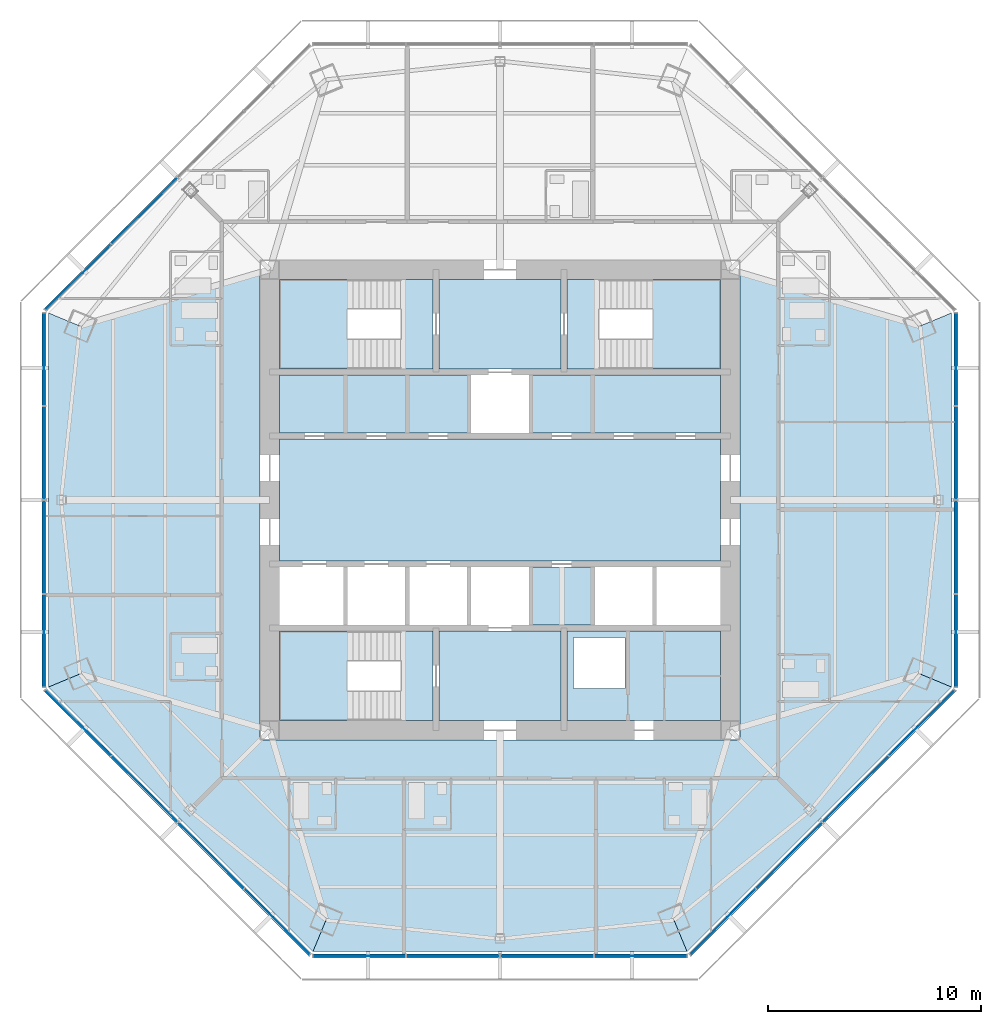
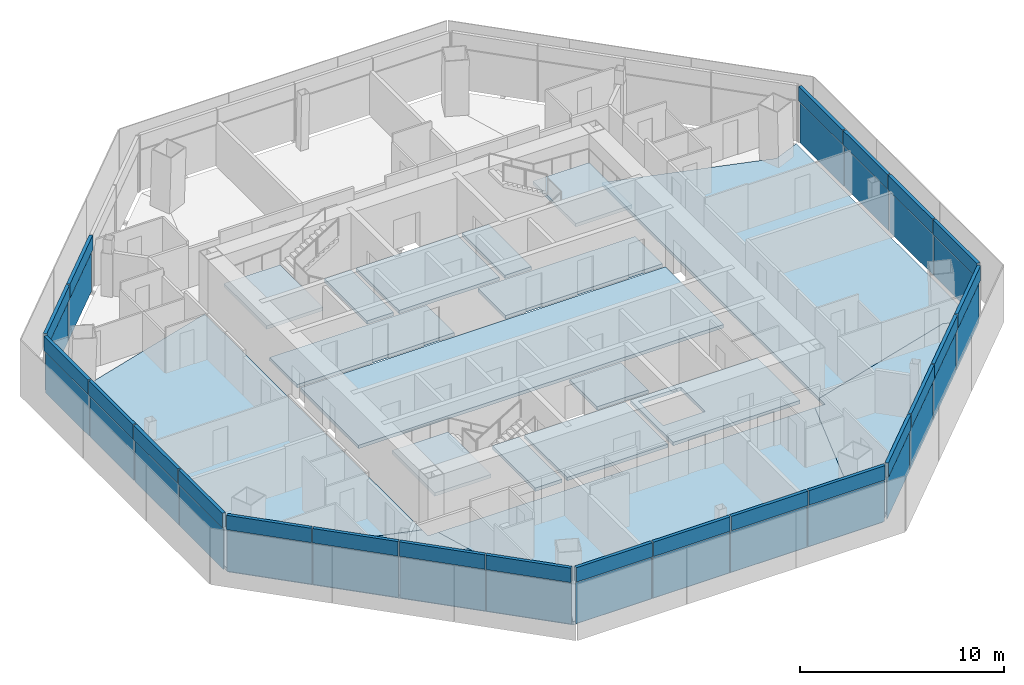
# One storey, part 8 of 15: 44 plates, 18 slabs, 9 elements without a shape of their own.
"""IFC4 building model written with IfcOpenShell, lengths in metres."""

from ifc_helpers import new_model, si_unit, direction, frame, origin, origin_2d, place, context, subcontext, project, spatial, polyline, rectangle, outline, extrude, source, transform, mapped, material, layer, layer_set, type_object, type_shapes, element, aggregate, save


model = new_model("IFC4")

# Units and contexts
model_context = context("Model", 3, precision=1e-05, world=origin(), true_north=direction((0.0, 1.0)))
body_context = subcontext(model_context, "Body", "Model", "MODEL_VIEW")
ifc_project = project(units=[si_unit("LENGTHUNIT", "METRE"), si_unit("AREAUNIT", "SQUARE_METRE"), si_unit("VOLUMEUNIT", "CUBIC_METRE"), si_unit("PLANEANGLEUNIT", "RADIAN"), si_unit("MASSUNIT", "GRAM", prefix="KILO")], contexts=[model_context])

# Site, building, storey
site_placement = place(None, origin())
site = spatial("IfcSite", under=ifc_project, at=site_placement, CompositionType="ELEMENT")
building_placement = place(site_placement, origin())
building = spatial("IfcBuilding", under=site, at=building_placement, Name="Mashrafa Tower", CompositionType="ELEMENT")
storey_placement = place(building_placement, frame((0.0, 0.0, 234.60009765625)))
storey = spatial("IfcBuildingStorey", under=building, at=storey_placement, Name="L55", CompositionType="ELEMENT", Elevation=234.60009765625)

# Slabs
ifc_material_1 = material(Name="Concrete C35/45", Category="concrete")
ifc_layer_1 = layer(ifc_material_1, 0.199951171875)
ifc_layer_set_1 = layer_set([ifc_layer_1], Name="Floor slab 200")
slab_type_1 = type_object("IfcSlabType", Name="Floor slab 200", PredefinedType="FLOOR", material=ifc_layer_set_1)
slab_1_placement = place(storey_placement, frame((0.0, 0.0, -0.2001953125)))
element("IfcSlab", 1, at=slab_1_placement, inside=storey, type_object=slab_type_1, Name="Floor slab L55 east bay", PredefinedType="FLOOR", context=body_context, shape_type="SweptSolid", body=[
    extrude(outline(polyline([(21.17822265625, 8.772216796875), (21.17822265625, -8.772216796875), (21.17822265625, -8.772216796875), (19.705810546875, -8.162353515625), (11.25, -10.666748046875), (11.25, 10.666748046875), (19.705810546875, 8.162353515625), (21.17822265625, 8.772216796875), (21.17822265625, 8.772216796875)])), origin(), (0.0, 0.0, 1.0), 0.2001953125),
])
slab_2_placement = place(storey_placement, frame((0.0, 0.0, -0.2001953125)))
element("IfcSlab", 2, at=slab_2_placement, inside=storey, type_object=slab_type_1, Name="Floor slab L55 west bay", PredefinedType="FLOOR", context=body_context, shape_type="SweptSolid", body=[
    extrude(outline(polyline([(-21.17822265625, -8.772216796875), (-21.17822265625, 8.772216796875), (-21.17822265625, 8.772216796875), (-19.705810546875, 8.162353515625), (-11.25, 10.666748046875), (-11.25, -10.666748046875), (-19.705810546875, -8.162353515625), (-21.17822265625, -8.772216796875), (-21.17822265625, -8.772216796875)])), origin(), (0.0, 0.0, 1.0), 0.2001953125),
])
slab_3_placement = place(storey_placement, frame((0.0, 0.0, -0.2001953125)))
element("IfcSlab", 3, at=slab_3_placement, inside=storey, type_object=slab_type_1, Name="Floor slab L55 south-west bay", PredefinedType="FLOOR", context=body_context, shape_type="SweptSolid", body=[
    extrude(outline(polyline([(-21.17822265625, -8.772216796875), (-19.705810546875, -8.162353515625), (-11.25, -10.666748046875), (-11.25, -11.25), (-10.666748046875, -11.25), (-8.162353515625, -19.705810546875), (-8.772216796875, -21.17822265625), (-21.17822265625, -8.772216796875)])), origin(), (0.0, 0.0, 1.0), 0.2001953125),
])
slab_4_placement = place(storey_placement, frame((0.0, 0.0, -0.2001953125)))
element("IfcSlab", 4, at=slab_4_placement, inside=storey, type_object=slab_type_1, Name="Floor slab L55 south bay", PredefinedType="FLOOR", context=body_context, shape_type="SweptSolid", body=[
    extrude(outline(polyline([(-8.772216796875, -21.17822265625), (-8.772216796875, -21.17822265625), (-8.162353515625, -19.705810546875), (-10.666748046875, -11.25), (10.666748046875, -11.25), (8.162353515625, -19.705810546875), (8.772216796875, -21.17822265625), (8.772216796875, -21.17822265625), (-8.772216796875, -21.17822265625)])), origin(), (0.0, 0.0, 1.0), 0.2001953125),
])
slab_5_placement = place(storey_placement, frame((0.0, 0.0, -0.2001953125)))
element("IfcSlab", 5, at=slab_5_placement, inside=storey, type_object=slab_type_1, Name="Floor slab L55 south-east bay", PredefinedType="FLOOR", context=body_context, shape_type="SweptSolid", body=[
    extrude(outline(polyline([(8.772216796875, -21.17822265625), (8.162353515625, -19.705810546875), (10.666748046875, -11.25), (11.25, -11.25), (11.25, -10.666748046875), (19.705810546875, -8.162353515625), (21.17822265625, -8.772216796875), (8.772216796875, -21.17822265625)])), origin(), (0.0, 0.0, 1.0), 0.2001953125),
])
slab_6_placement = place(storey_placement, frame((0.0, 0.0, -0.2001953125)))
element("IfcSlab", 6, at=slab_6_placement, inside=storey, type_object=slab_type_1, Name="Core floor lift hall L55", PredefinedType="FLOOR", context=body_context, shape_type="SweptSolid", body=[
    extrude(outline(polyline([(-10.35009765625, 2.85009765625), (10.35009765625, 2.85009765625), (10.35009765625, -2.85009765625), (-10.35009765625, -2.85009765625), (-10.35009765625, 2.85009765625)])), origin(), (0.0, 0.0, 1.0), 0.2001953125),
])
slab_7_placement = place(storey_placement, frame((0.0, 0.0, -0.2001953125)))
element("IfcSlab", 7, at=slab_7_placement, inside=storey, type_object=slab_type_1, Name="Core floor riser and electrical band L55", PredefinedType="FLOOR", context=body_context, shape_type="SweptSolid", body=[
    extrude(outline(polyline([(10.35009765625, -6.14990234375), (10.35009765625, -10.35009765625), (3.14990234375, -10.35009765625), (3.14990234375, -6.14990234375), (10.35009765625, -6.14990234375)]), holes=[polyline([(3.449951171875, -8.85009765625), (5.85009765625, -8.85009765625), (5.85009765625, -6.449951171875), (3.449951171875, -6.449951171875), (3.449951171875, -8.85009765625)])]), origin(), (0.0, 0.0, 1.0), 0.2001953125),
])
slab_8_placement = place(storey_placement, frame((0.0, 0.0, -0.2001953125)))
element("IfcSlab", 8, at=slab_8_placement, inside=storey, type_object=slab_type_1, Name="Core floor lift cell L55", PredefinedType="FLOOR", context=body_context, shape_type="SweptSolid", body=[
    extrude(outline(polyline([(-10.35009765625, 5.85009765625), (-1.449951171875, 5.85009765625), (-1.449951171875, 3.14990234375), (-10.35009765625, 3.14990234375), (-10.35009765625, 5.85009765625)])), origin(), (0.0, 0.0, 1.0), 0.2001953125),
])
slab_9_placement = place(storey_placement, frame((0.0, 0.0, -0.2001953125)))
element("IfcSlab", 9, at=slab_9_placement, inside=storey, type_object=slab_type_1, Name="Core floor lift cell L55", PredefinedType="FLOOR", context=body_context, shape_type="SweptSolid", body=[
    extrude(outline(polyline([(1.449951171875, 5.85009765625), (10.35009765625, 5.85009765625), (10.35009765625, 3.14990234375), (1.449951171875, 3.14990234375), (1.449951171875, 5.85009765625)])), origin(), (0.0, 0.0, 1.0), 0.2001953125),
])
slab_10_placement = place(storey_placement, frame((0.0, 0.0, -0.2001953125)))
element("IfcSlab", 10, at=slab_10_placement, inside=storey, type_object=slab_type_1, Name="Core floor fire-fighting lobby south L55", PredefinedType="FLOOR", context=body_context, shape_type="SweptSolid", body=[
    extrude(outline(polyline([(2.85009765625, -6.14990234375), (2.85009765625, -10.35009765625), (-2.85009765625, -10.35009765625), (-2.85009765625, -6.14990234375), (2.85009765625, -6.14990234375)])), origin(), (0.0, 0.0, 1.0), 0.2001953125),
])
slab_11_placement = place(storey_placement, frame((0.0, 0.0, -0.2001953125)))
element("IfcSlab", 11, at=slab_11_placement, inside=storey, type_object=slab_type_1, Name="Core floor fire-fighting lobby north L55", PredefinedType="FLOOR", context=body_context, shape_type="SweptSolid", body=[
    extrude(outline(polyline([(-2.85009765625, 10.35009765625), (2.85009765625, 10.35009765625), (2.85009765625, 6.14990234375), (-2.85009765625, 6.14990234375), (-2.85009765625, 10.35009765625)])), origin(), (0.0, 0.0, 1.0), 0.2001953125),
])
slab_12_placement = place(storey_placement, frame((0.0, 0.0, -0.2001953125)))
element("IfcSlab", 12, at=slab_12_placement, inside=storey, type_object=slab_type_1, Name="Core floor lift cell L55", PredefinedType="FLOOR", context=body_context, shape_type="SweptSolid", body=[
    extrude(outline(polyline([(4.35009765625, -3.14990234375), (4.35009765625, -5.85009765625), (1.449951171875, -5.85009765625), (1.449951171875, -3.14990234375), (4.35009765625, -3.14990234375)])), origin(), (0.0, 0.0, 1.0), 0.2001953125),
])

# Stair, slabs
ifc_material_2 = material(Name="Exit stair 1400")
stair_type = type_object("IfcStairType", Name="Exit stair 1400", PredefinedType="HALF_TURN_STAIR", material=ifc_material_2)
stair_1_placement = place(storey_placement, origin())
stair_1 = element("IfcStair", 13, at=stair_1_placement, inside=storey, type_object=stair_type, Name="Stair S1 L55", PredefinedType="HALF_TURN_STAIR")
ifc_material_3 = material(Name="Concrete C32/40", Category="concrete")
ifc_layer_2 = layer(ifc_material_3, 0.199951171875)
ifc_layer_set_2 = layer_set([ifc_layer_2], Name="Stair landing 200")
slab_type_2 = type_object("IfcSlabType", Name="Stair landing 200", PredefinedType="LANDING", material=ifc_layer_set_2)
slab_13_placement = place(storey_placement, frame((0.0, 0.0, -0.2001953125)))
slab_13 = element("IfcSlab", 14, at=slab_13_placement, type_object=slab_type_2, Name="S1 landing 1", PredefinedType="LANDING", context=body_context, shape_type="SweptSolid", body=[
    extrude(outline(polyline([(-4.659912109375, 6.14990234375), (-3.14990234375, 6.14990234375), (-3.14990234375, 10.35009765625), (-4.659912109375, 10.35009765625), (-4.659912109375, 6.14990234375)])), origin(), (0.0, 0.0, 1.0), 0.2001953125),
])
slab_14_placement = place(storey_placement, frame((0.0, 0.0, 1.5)))
slab_14 = element("IfcSlab", 15, at=slab_14_placement, type_object=slab_type_2, Name="S1 landing 2", PredefinedType="LANDING", context=body_context, shape_type="SweptSolid", body=[
    extrude(outline(polyline([(-10.35009765625, 6.14990234375), (-7.159912109375, 6.14990234375), (-7.159912109375, 10.35009765625), (-10.35009765625, 10.35009765625), (-10.35009765625, 6.14990234375)])), origin(), (0.0, 0.0, 1.0), 0.199951171875),
])
aggregate(stair_1, [slab_13, slab_14])

stair_2_placement = place(storey_placement, origin())
stair_2 = element("IfcStair", 16, at=stair_2_placement, inside=storey, type_object=stair_type, Name="Stair S2 L55", PredefinedType="HALF_TURN_STAIR")
slab_15_placement = place(storey_placement, frame((0.0, 0.0, -0.2001953125)))
slab_15 = element("IfcSlab", 17, at=slab_15_placement, type_object=slab_type_2, Name="S2 landing 1", PredefinedType="LANDING", context=body_context, shape_type="SweptSolid", body=[
    extrude(outline(polyline([(3.14990234375, 6.14990234375), (4.659912109375, 6.14990234375), (4.659912109375, 10.35009765625), (3.14990234375, 10.35009765625), (3.14990234375, 6.14990234375)])), origin(), (0.0, 0.0, 1.0), 0.2001953125),
])
slab_16_placement = place(storey_placement, frame((0.0, 0.0, 1.5)))
slab_16 = element("IfcSlab", 18, at=slab_16_placement, type_object=slab_type_2, Name="S2 landing 2", PredefinedType="LANDING", context=body_context, shape_type="SweptSolid", body=[
    extrude(outline(polyline([(7.159912109375, 6.14990234375), (10.35009765625, 6.14990234375), (10.35009765625, 10.35009765625), (7.159912109375, 10.35009765625), (7.159912109375, 6.14990234375)])), origin(), (0.0, 0.0, 1.0), 0.199951171875),
])
aggregate(stair_2, [slab_15, slab_16])

stair_3_placement = place(storey_placement, origin())
stair_3 = element("IfcStair", 19, at=stair_3_placement, inside=storey, type_object=stair_type, Name="Stair S3 L55", PredefinedType="HALF_TURN_STAIR")
slab_17_placement = place(storey_placement, frame((0.0, 0.0, -0.2001953125)))
slab_17 = element("IfcSlab", 20, at=slab_17_placement, type_object=slab_type_2, Name="S3 landing 1", PredefinedType="LANDING", context=body_context, shape_type="SweptSolid", body=[
    extrude(outline(polyline([(-4.659912109375, -10.35009765625), (-3.14990234375, -10.35009765625), (-3.14990234375, -6.14990234375), (-4.659912109375, -6.14990234375), (-4.659912109375, -10.35009765625)])), origin(), (0.0, 0.0, 1.0), 0.2001953125),
])
slab_18_placement = place(storey_placement, frame((0.0, 0.0, 1.5)))
slab_18 = element("IfcSlab", 21, at=slab_18_placement, type_object=slab_type_2, Name="S3 landing 2", PredefinedType="LANDING", context=body_context, shape_type="SweptSolid", body=[
    extrude(outline(polyline([(-10.35009765625, -10.35009765625), (-7.159912109375, -10.35009765625), (-7.159912109375, -6.14990234375), (-10.35009765625, -6.14990234375), (-10.35009765625, -10.35009765625)])), origin(), (0.0, 0.0, 1.0), 0.199951171875),
])
aggregate(stair_3, [slab_17, slab_18])

# Curtain wall, plates
ifc_material_4 = material(Name="Unitised aluminium curtain wall", Category="aluminium")
curtain_wall_type = type_object("IfcCurtainWallType", Name="Apartment curtain wall, zone 3 CW-C 180 deep", PredefinedType="NOTDEFINED", material=ifc_material_4)
curtain_wall_1_placement = place(storey_placement, origin())
curtain_wall_1 = element("IfcCurtainWall", 22, at=curtain_wall_1_placement, inside=storey, type_object=curtain_wall_type, Name="Apartment curtain wall, zone 3 L55 east", PredefinedType="NOTDEFINED")
ifc_material_5 = material(Name="Insulated double glazing, acoustic", Category="glass")
ifc_layer_3 = layer(ifc_material_5, 0.028076171875)
ifc_layer_set_3 = layer_set([ifc_layer_3], Name="Vision panel CW-C 28")
plate_type_1 = type_object("IfcPlateType", Name="Vision panel CW-C 28", PredefinedType="CURTAIN_PANEL", material=ifc_layer_set_3)
shared_shape_1 = source(origin(), body_context, "Body", "SweptSolid", [
    extrude(rectangle(XDim=4.31396484375, YDim=0.028076171875, at=origin_2d()), origin(), (0.0, 0.0, 1.0), 2.46240234375),
])
plate_1_placement = place(storey_placement, frame((21.378173828125, -6.5908203125, 0.0), z_axis=(0.0, 0.0, 1.0), x_axis=(0.0, 1.0, 0.0)))
plate_1 = element("IfcPlate", 23, at=plate_1_placement, type_object=plate_type_1, Name="CW-C vision panel 1", PredefinedType="CURTAIN_PANEL", context=body_context, shape_type="MappedRepresentation", body=[
    mapped(shared_shape_1, transform((0.0, 0.0, 0.0))),
])
plate_2_placement = place(storey_placement, frame((21.378173828125, 6.5908203125, 0.0), z_axis=(0.0, 0.0, 1.0), x_axis=(0.0, 1.0, 0.0)))
plate_2 = element("IfcPlate", 24, at=plate_2_placement, type_object=plate_type_1, Name="CW-C vision panel 4", PredefinedType="CURTAIN_PANEL", context=body_context, shape_type="MappedRepresentation", body=[
    mapped(shared_shape_1, transform((0.0, 0.0, 0.0))),
])

# Curtain wall, plate
curtain_wall_2_placement = place(storey_placement, origin())
curtain_wall_2 = element("IfcCurtainWall", 25, at=curtain_wall_2_placement, inside=storey, type_object=curtain_wall_type, Name="Apartment curtain wall, zone 3 L55 north-west", PredefinedType="NOTDEFINED")
plate_3_placement = place(storey_placement, frame((-19.777099609375, 10.456298828125, 0.0), z_axis=(0.0, 0.0, 1.0), x_axis=(-0.707106781187, -0.707106781187, 0.0)))
plate_3 = element("IfcPlate", 26, at=plate_3_placement, type_object=plate_type_1, Name="CW-C vision panel 4", PredefinedType="CURTAIN_PANEL", context=body_context, shape_type="MappedRepresentation", body=[
    mapped(shared_shape_1, transform((0.0, 0.0, 0.0))),
])

# Curtain wall, plates
curtain_wall_3_placement = place(storey_placement, origin())
curtain_wall_3 = element("IfcCurtainWall", 27, at=curtain_wall_3_placement, inside=storey, type_object=curtain_wall_type, Name="Apartment curtain wall, zone 3 L55 west", PredefinedType="NOTDEFINED")
plate_4_placement = place(storey_placement, frame((-21.378173828125, 6.5908203125, 0.0), z_axis=(0.0, 0.0, 1.0), x_axis=(0.0, -1.0, 0.0)))
plate_4 = element("IfcPlate", 28, at=plate_4_placement, type_object=plate_type_1, Name="CW-C vision panel 1", PredefinedType="CURTAIN_PANEL", context=body_context, shape_type="MappedRepresentation", body=[
    mapped(shared_shape_1, transform((0.0, 0.0, 0.0))),
])
plate_5_placement = place(storey_placement, frame((-21.378173828125, -6.5908203125, 0.0), z_axis=(0.0, 0.0, 1.0), x_axis=(0.0, -1.0, 0.0)))
plate_5 = element("IfcPlate", 29, at=plate_5_placement, type_object=plate_type_1, Name="CW-C vision panel 4", PredefinedType="CURTAIN_PANEL", context=body_context, shape_type="MappedRepresentation", body=[
    mapped(shared_shape_1, transform((0.0, 0.0, 0.0))),
])

curtain_wall_4_placement = place(storey_placement, origin())
curtain_wall_4 = element("IfcCurtainWall", 30, at=curtain_wall_4_placement, inside=storey, type_object=curtain_wall_type, Name="Apartment curtain wall, zone 3 L55 south-west", PredefinedType="NOTDEFINED")
plate_6_placement = place(storey_placement, frame((-19.777099609375, -10.456298828125, 0.0), z_axis=(0.0, 0.0, 1.0), x_axis=(0.707106781187, -0.707106781187, 0.0)))
plate_6 = element("IfcPlate", 31, at=plate_6_placement, type_object=plate_type_1, Name="CW-C vision panel 1", PredefinedType="CURTAIN_PANEL", context=body_context, shape_type="MappedRepresentation", body=[
    mapped(shared_shape_1, transform((0.0, 0.0, 0.0))),
])
plate_7_placement = place(storey_placement, frame((-10.456298828125, -19.777099609375, 0.0), z_axis=(0.0, 0.0, 1.0), x_axis=(0.707106781187, -0.707106781187, 0.0)))
plate_7 = element("IfcPlate", 32, at=plate_7_placement, type_object=plate_type_1, Name="CW-C vision panel 4", PredefinedType="CURTAIN_PANEL", context=body_context, shape_type="MappedRepresentation", body=[
    mapped(shared_shape_1, transform((0.0, 0.0, 0.0))),
])

curtain_wall_5_placement = place(storey_placement, origin())
curtain_wall_5 = element("IfcCurtainWall", 33, at=curtain_wall_5_placement, inside=storey, type_object=curtain_wall_type, Name="Apartment curtain wall, zone 3 L55 south", PredefinedType="NOTDEFINED")
plate_8_placement = place(storey_placement, frame((-6.5908203125, -21.378173828125, 0.0), z_axis=(0.0, 0.0, 1.0), x_axis=(1.0, 0.0, 0.0)))
plate_8 = element("IfcPlate", 34, at=plate_8_placement, type_object=plate_type_1, Name="CW-C vision panel 1", PredefinedType="CURTAIN_PANEL", context=body_context, shape_type="MappedRepresentation", body=[
    mapped(shared_shape_1, transform((0.0, 0.0, 0.0))),
])
plate_9_placement = place(storey_placement, frame((6.5908203125, -21.378173828125, 0.0), z_axis=(0.0, 0.0, 1.0), x_axis=(1.0, 0.0, 0.0)))
plate_9 = element("IfcPlate", 35, at=plate_9_placement, type_object=plate_type_1, Name="CW-C vision panel 4", PredefinedType="CURTAIN_PANEL", context=body_context, shape_type="MappedRepresentation", body=[
    mapped(shared_shape_1, transform((0.0, 0.0, 0.0))),
])

curtain_wall_6_placement = place(storey_placement, origin())
curtain_wall_6 = element("IfcCurtainWall", 36, at=curtain_wall_6_placement, inside=storey, type_object=curtain_wall_type, Name="Apartment curtain wall, zone 3 L55 south-east", PredefinedType="NOTDEFINED")
plate_10_placement = place(storey_placement, frame((10.456298828125, -19.777099609375, 0.0), z_axis=(0.0, 0.0, 1.0), x_axis=(0.707106781187, 0.707106781187, 0.0)))
plate_10 = element("IfcPlate", 37, at=plate_10_placement, type_object=plate_type_1, Name="CW-C vision panel 1", PredefinedType="CURTAIN_PANEL", context=body_context, shape_type="MappedRepresentation", body=[
    mapped(shared_shape_1, transform((0.0, 0.0, 0.0))),
])
plate_11_placement = place(storey_placement, frame((19.777099609375, -10.456298828125, 0.0), z_axis=(0.0, 0.0, 1.0), x_axis=(0.707106781187, 0.707106781187, 0.0)))
plate_11 = element("IfcPlate", 38, at=plate_11_placement, type_object=plate_type_1, Name="CW-C vision panel 4", PredefinedType="CURTAIN_PANEL", context=body_context, shape_type="MappedRepresentation", body=[
    mapped(shared_shape_1, transform((0.0, 0.0, 0.0))),
])

# Plate
ifc_material_6 = material(Name="Insulated bronze aluminium spandrel panel", Category="aluminium")
ifc_layer_4 = layer(ifc_material_6, 0.179931640625)
ifc_layer_set_4 = layer_set([ifc_layer_4], Name="Spandrel panel CW-C 180")
plate_type_2 = type_object("IfcPlateType", Name="Spandrel panel CW-C 180", PredefinedType="CURTAIN_PANEL", material=ifc_layer_set_4)
shared_shape_2 = source(origin(), body_context, "Body", "SweptSolid", [
    extrude(rectangle(XDim=4.31396484375, YDim=0.179931640625, at=origin_2d()), origin(), (0.0, 0.0, 1.0), 0.862548828125),
])
plate_12_placement = place(storey_placement, frame((21.378173828125, -6.5908203125, 2.53759765625), z_axis=(0.0, 0.0, 1.0), x_axis=(0.0, 1.0, 0.0)))
plate_12 = element("IfcPlate", 39, at=plate_12_placement, type_object=plate_type_2, Name="CW-C spandrel panel 1", PredefinedType="CURTAIN_PANEL", context=body_context, shape_type="MappedRepresentation", body=[
    mapped(shared_shape_2, transform((0.0, 0.0, 0.0))),
])

plate_13_placement = place(storey_placement, frame((21.378173828125, 6.5908203125, 2.53759765625), z_axis=(0.0, 0.0, 1.0), x_axis=(0.0, 1.0, 0.0)))
plate_13 = element("IfcPlate", 40, at=plate_13_placement, type_object=plate_type_2, Name="CW-C spandrel panel 4", PredefinedType="CURTAIN_PANEL", context=body_context, shape_type="MappedRepresentation", body=[
    mapped(shared_shape_2, transform((0.0, 0.0, 0.0))),
])

plate_14_placement = place(storey_placement, frame((-19.777099609375, 10.456298828125, 2.53759765625), z_axis=(0.0, 0.0, 1.0), x_axis=(-0.707106781187, -0.707106781187, 0.0)))
plate_14 = element("IfcPlate", 41, at=plate_14_placement, type_object=plate_type_2, Name="CW-C spandrel panel 4", PredefinedType="CURTAIN_PANEL", context=body_context, shape_type="MappedRepresentation", body=[
    mapped(shared_shape_2, transform((0.0, 0.0, 0.0))),
])

plate_15_placement = place(storey_placement, frame((-21.378173828125, 6.5908203125, 2.53759765625), z_axis=(0.0, 0.0, 1.0), x_axis=(0.0, -1.0, 0.0)))
plate_15 = element("IfcPlate", 42, at=plate_15_placement, type_object=plate_type_2, Name="CW-C spandrel panel 1", PredefinedType="CURTAIN_PANEL", context=body_context, shape_type="MappedRepresentation", body=[
    mapped(shared_shape_2, transform((0.0, 0.0, 0.0))),
])

plate_16_placement = place(storey_placement, frame((-21.378173828125, -6.5908203125, 2.53759765625), z_axis=(0.0, 0.0, 1.0), x_axis=(0.0, -1.0, 0.0)))
plate_16 = element("IfcPlate", 43, at=plate_16_placement, type_object=plate_type_2, Name="CW-C spandrel panel 4", PredefinedType="CURTAIN_PANEL", context=body_context, shape_type="MappedRepresentation", body=[
    mapped(shared_shape_2, transform((0.0, 0.0, 0.0))),
])

plate_17_placement = place(storey_placement, frame((-19.777099609375, -10.456298828125, 2.53759765625), z_axis=(0.0, 0.0, 1.0), x_axis=(0.707106781187, -0.707106781187, 0.0)))
plate_17 = element("IfcPlate", 44, at=plate_17_placement, type_object=plate_type_2, Name="CW-C spandrel panel 1", PredefinedType="CURTAIN_PANEL", context=body_context, shape_type="MappedRepresentation", body=[
    mapped(shared_shape_2, transform((0.0, 0.0, 0.0))),
])

plate_18_placement = place(storey_placement, frame((-10.456298828125, -19.777099609375, 2.53759765625), z_axis=(0.0, 0.0, 1.0), x_axis=(0.707106781187, -0.707106781187, 0.0)))
plate_18 = element("IfcPlate", 45, at=plate_18_placement, type_object=plate_type_2, Name="CW-C spandrel panel 4", PredefinedType="CURTAIN_PANEL", context=body_context, shape_type="MappedRepresentation", body=[
    mapped(shared_shape_2, transform((0.0, 0.0, 0.0))),
])

plate_19_placement = place(storey_placement, frame((-6.5908203125, -21.378173828125, 2.53759765625), z_axis=(0.0, 0.0, 1.0), x_axis=(1.0, 0.0, 0.0)))
plate_19 = element("IfcPlate", 46, at=plate_19_placement, type_object=plate_type_2, Name="CW-C spandrel panel 1", PredefinedType="CURTAIN_PANEL", context=body_context, shape_type="MappedRepresentation", body=[
    mapped(shared_shape_2, transform((0.0, 0.0, 0.0))),
])

plate_20_placement = place(storey_placement, frame((6.5908203125, -21.378173828125, 2.53759765625), z_axis=(0.0, 0.0, 1.0), x_axis=(1.0, 0.0, 0.0)))
plate_20 = element("IfcPlate", 47, at=plate_20_placement, type_object=plate_type_2, Name="CW-C spandrel panel 4", PredefinedType="CURTAIN_PANEL", context=body_context, shape_type="MappedRepresentation", body=[
    mapped(shared_shape_2, transform((0.0, 0.0, 0.0))),
])

plate_21_placement = place(storey_placement, frame((10.456298828125, -19.777099609375, 2.53759765625), z_axis=(0.0, 0.0, 1.0), x_axis=(0.707106781187, 0.707106781187, 0.0)))
plate_21 = element("IfcPlate", 48, at=plate_21_placement, type_object=plate_type_2, Name="CW-C spandrel panel 1", PredefinedType="CURTAIN_PANEL", context=body_context, shape_type="MappedRepresentation", body=[
    mapped(shared_shape_2, transform((0.0, 0.0, 0.0))),
])

plate_22_placement = place(storey_placement, frame((19.777099609375, -10.456298828125, 2.53759765625), z_axis=(0.0, 0.0, 1.0), x_axis=(0.707106781187, 0.707106781187, 0.0)))
plate_22 = element("IfcPlate", 49, at=plate_22_placement, type_object=plate_type_2, Name="CW-C spandrel panel 4", PredefinedType="CURTAIN_PANEL", context=body_context, shape_type="MappedRepresentation", body=[
    mapped(shared_shape_2, transform((0.0, 0.0, 0.0))),
])

shared_shape_3 = source(origin(), body_context, "Body", "SweptSolid", [
    extrude(rectangle(XDim=4.343994140625, YDim=0.028076171875, at=origin_2d()), origin(), (0.0, 0.0, 1.0), 2.46240234375),
])
type_shapes(plate_type_1, [shared_shape_1, shared_shape_3])
plate_23_placement = place(storey_placement, frame((21.378173828125, -2.201904296875, 0.0), z_axis=(0.0, 0.0, 1.0), x_axis=(0.0, 1.0, 0.0)))
plate_23 = element("IfcPlate", 50, at=plate_23_placement, type_object=plate_type_1, Name="CW-C vision panel 2", PredefinedType="CURTAIN_PANEL", context=body_context, shape_type="MappedRepresentation", body=[
    mapped(shared_shape_3, transform((0.0, 0.0, 0.0))),
])

plate_24_placement = place(storey_placement, frame((21.378173828125, 2.201904296875, 0.0), z_axis=(0.0, 0.0, 1.0), x_axis=(0.0, 1.0, 0.0)))
plate_24 = element("IfcPlate", 51, at=plate_24_placement, type_object=plate_type_1, Name="CW-C vision panel 3", PredefinedType="CURTAIN_PANEL", context=body_context, shape_type="MappedRepresentation", body=[
    mapped(shared_shape_3, transform((0.0, 0.0, 0.0))),
])

plate_25_placement = place(storey_placement, frame((-16.673828125, 13.5595703125, 0.0), z_axis=(0.0, 0.0, 1.0), x_axis=(-0.707106781187, -0.707106781187, 0.0)))
plate_25 = element("IfcPlate", 52, at=plate_25_placement, type_object=plate_type_1, Name="CW-C vision panel 3", PredefinedType="CURTAIN_PANEL", context=body_context, shape_type="MappedRepresentation", body=[
    mapped(shared_shape_3, transform((0.0, 0.0, 0.0))),
])

plate_26_placement = place(storey_placement, frame((-21.378173828125, 2.201904296875, 0.0), z_axis=(0.0, 0.0, 1.0), x_axis=(0.0, -1.0, 0.0)))
plate_26 = element("IfcPlate", 53, at=plate_26_placement, type_object=plate_type_1, Name="CW-C vision panel 2", PredefinedType="CURTAIN_PANEL", context=body_context, shape_type="MappedRepresentation", body=[
    mapped(shared_shape_3, transform((0.0, 0.0, 0.0))),
])

plate_27_placement = place(storey_placement, frame((-21.378173828125, -2.201904296875, 0.0), z_axis=(0.0, 0.0, 1.0), x_axis=(0.0, -1.0, 0.0)))
plate_27 = element("IfcPlate", 54, at=plate_27_placement, type_object=plate_type_1, Name="CW-C vision panel 3", PredefinedType="CURTAIN_PANEL", context=body_context, shape_type="MappedRepresentation", body=[
    mapped(shared_shape_3, transform((0.0, 0.0, 0.0))),
])

plate_28_placement = place(storey_placement, frame((-16.673828125, -13.5595703125, 0.0), z_axis=(0.0, 0.0, 1.0), x_axis=(0.707106781187, -0.707106781187, 0.0)))
plate_28 = element("IfcPlate", 55, at=plate_28_placement, type_object=plate_type_1, Name="CW-C vision panel 2", PredefinedType="CURTAIN_PANEL", context=body_context, shape_type="MappedRepresentation", body=[
    mapped(shared_shape_3, transform((0.0, 0.0, 0.0))),
])

plate_29_placement = place(storey_placement, frame((-13.5595703125, -16.673828125, 0.0), z_axis=(0.0, 0.0, 1.0), x_axis=(0.707106781187, -0.707106781187, 0.0)))
plate_29 = element("IfcPlate", 56, at=plate_29_placement, type_object=plate_type_1, Name="CW-C vision panel 3", PredefinedType="CURTAIN_PANEL", context=body_context, shape_type="MappedRepresentation", body=[
    mapped(shared_shape_3, transform((0.0, 0.0, 0.0))),
])

plate_30_placement = place(storey_placement, frame((-2.201904296875, -21.378173828125, 0.0), z_axis=(0.0, 0.0, 1.0), x_axis=(1.0, 0.0, 0.0)))
plate_30 = element("IfcPlate", 57, at=plate_30_placement, type_object=plate_type_1, Name="CW-C vision panel 2", PredefinedType="CURTAIN_PANEL", context=body_context, shape_type="MappedRepresentation", body=[
    mapped(shared_shape_3, transform((0.0, 0.0, 0.0))),
])

plate_31_placement = place(storey_placement, frame((2.201904296875, -21.378173828125, 0.0), z_axis=(0.0, 0.0, 1.0), x_axis=(1.0, 0.0, 0.0)))
plate_31 = element("IfcPlate", 58, at=plate_31_placement, type_object=plate_type_1, Name="CW-C vision panel 3", PredefinedType="CURTAIN_PANEL", context=body_context, shape_type="MappedRepresentation", body=[
    mapped(shared_shape_3, transform((0.0, 0.0, 0.0))),
])

plate_32_placement = place(storey_placement, frame((13.5595703125, -16.673828125, 0.0), z_axis=(0.0, 0.0, 1.0), x_axis=(0.707106781187, 0.707106781187, 0.0)))
plate_32 = element("IfcPlate", 59, at=plate_32_placement, type_object=plate_type_1, Name="CW-C vision panel 2", PredefinedType="CURTAIN_PANEL", context=body_context, shape_type="MappedRepresentation", body=[
    mapped(shared_shape_3, transform((0.0, 0.0, 0.0))),
])

plate_33_placement = place(storey_placement, frame((16.673828125, -13.5595703125, 0.0), z_axis=(0.0, 0.0, 1.0), x_axis=(0.707106781187, 0.707106781187, 0.0)))
plate_33 = element("IfcPlate", 60, at=plate_33_placement, type_object=plate_type_1, Name="CW-C vision panel 3", PredefinedType="CURTAIN_PANEL", context=body_context, shape_type="MappedRepresentation", body=[
    mapped(shared_shape_3, transform((0.0, 0.0, 0.0))),
])

shared_shape_4 = source(origin(), body_context, "Body", "SweptSolid", [
    extrude(rectangle(XDim=4.343994140625, YDim=0.179931640625, at=origin_2d()), origin(), (0.0, 0.0, 1.0), 0.862548828125),
])
type_shapes(plate_type_2, [shared_shape_2, shared_shape_4])
plate_34_placement = place(storey_placement, frame((21.378173828125, -2.201904296875, 2.53759765625), z_axis=(0.0, 0.0, 1.0), x_axis=(0.0, 1.0, 0.0)))
plate_34 = element("IfcPlate", 61, at=plate_34_placement, type_object=plate_type_2, Name="CW-C spandrel panel 2", PredefinedType="CURTAIN_PANEL", context=body_context, shape_type="MappedRepresentation", body=[
    mapped(shared_shape_4, transform((0.0, 0.0, 0.0))),
])

plate_35_placement = place(storey_placement, frame((21.378173828125, 2.201904296875, 2.53759765625), z_axis=(0.0, 0.0, 1.0), x_axis=(0.0, 1.0, 0.0)))
plate_35 = element("IfcPlate", 62, at=plate_35_placement, type_object=plate_type_2, Name="CW-C spandrel panel 3", PredefinedType="CURTAIN_PANEL", context=body_context, shape_type="MappedRepresentation", body=[
    mapped(shared_shape_4, transform((0.0, 0.0, 0.0))),
])

aggregate(curtain_wall_1, [plate_1, plate_12, plate_23, plate_34, plate_24, plate_35, plate_2, plate_13])

plate_36_placement = place(storey_placement, frame((-16.673828125, 13.5595703125, 2.53759765625), z_axis=(0.0, 0.0, 1.0), x_axis=(-0.707106781187, -0.707106781187, 0.0)))
plate_36 = element("IfcPlate", 63, at=plate_36_placement, type_object=plate_type_2, Name="CW-C spandrel panel 3", PredefinedType="CURTAIN_PANEL", context=body_context, shape_type="MappedRepresentation", body=[
    mapped(shared_shape_4, transform((0.0, 0.0, 0.0))),
])

aggregate(curtain_wall_2, [plate_25, plate_36, plate_3, plate_14])

plate_37_placement = place(storey_placement, frame((-21.378173828125, 2.201904296875, 2.53759765625), z_axis=(0.0, 0.0, 1.0), x_axis=(0.0, -1.0, 0.0)))
plate_37 = element("IfcPlate", 64, at=plate_37_placement, type_object=plate_type_2, Name="CW-C spandrel panel 2", PredefinedType="CURTAIN_PANEL", context=body_context, shape_type="MappedRepresentation", body=[
    mapped(shared_shape_4, transform((0.0, 0.0, 0.0))),
])

plate_38_placement = place(storey_placement, frame((-21.378173828125, -2.201904296875, 2.53759765625), z_axis=(0.0, 0.0, 1.0), x_axis=(0.0, -1.0, 0.0)))
plate_38 = element("IfcPlate", 65, at=plate_38_placement, type_object=plate_type_2, Name="CW-C spandrel panel 3", PredefinedType="CURTAIN_PANEL", context=body_context, shape_type="MappedRepresentation", body=[
    mapped(shared_shape_4, transform((0.0, 0.0, 0.0))),
])

aggregate(curtain_wall_3, [plate_4, plate_15, plate_26, plate_37, plate_27, plate_38, plate_5, plate_16])

plate_39_placement = place(storey_placement, frame((-16.673828125, -13.5595703125, 2.53759765625), z_axis=(0.0, 0.0, 1.0), x_axis=(0.707106781187, -0.707106781187, 0.0)))
plate_39 = element("IfcPlate", 66, at=plate_39_placement, type_object=plate_type_2, Name="CW-C spandrel panel 2", PredefinedType="CURTAIN_PANEL", context=body_context, shape_type="MappedRepresentation", body=[
    mapped(shared_shape_4, transform((0.0, 0.0, 0.0))),
])

plate_40_placement = place(storey_placement, frame((-13.5595703125, -16.673828125, 2.53759765625), z_axis=(0.0, 0.0, 1.0), x_axis=(0.707106781187, -0.707106781187, 0.0)))
plate_40 = element("IfcPlate", 67, at=plate_40_placement, type_object=plate_type_2, Name="CW-C spandrel panel 3", PredefinedType="CURTAIN_PANEL", context=body_context, shape_type="MappedRepresentation", body=[
    mapped(shared_shape_4, transform((0.0, 0.0, 0.0))),
])

aggregate(curtain_wall_4, [plate_6, plate_17, plate_28, plate_39, plate_29, plate_40, plate_7, plate_18])

plate_41_placement = place(storey_placement, frame((-2.201904296875, -21.378173828125, 2.53759765625), z_axis=(0.0, 0.0, 1.0), x_axis=(1.0, 0.0, 0.0)))
plate_41 = element("IfcPlate", 68, at=plate_41_placement, type_object=plate_type_2, Name="CW-C spandrel panel 2", PredefinedType="CURTAIN_PANEL", context=body_context, shape_type="MappedRepresentation", body=[
    mapped(shared_shape_4, transform((0.0, 0.0, 0.0))),
])

plate_42_placement = place(storey_placement, frame((2.201904296875, -21.378173828125, 2.53759765625), z_axis=(0.0, 0.0, 1.0), x_axis=(1.0, 0.0, 0.0)))
plate_42 = element("IfcPlate", 69, at=plate_42_placement, type_object=plate_type_2, Name="CW-C spandrel panel 3", PredefinedType="CURTAIN_PANEL", context=body_context, shape_type="MappedRepresentation", body=[
    mapped(shared_shape_4, transform((0.0, 0.0, 0.0))),
])

aggregate(curtain_wall_5, [plate_8, plate_19, plate_30, plate_41, plate_31, plate_42, plate_9, plate_20])

plate_43_placement = place(storey_placement, frame((13.5595703125, -16.673828125, 2.53759765625), z_axis=(0.0, 0.0, 1.0), x_axis=(0.707106781187, 0.707106781187, 0.0)))
plate_43 = element("IfcPlate", 70, at=plate_43_placement, type_object=plate_type_2, Name="CW-C spandrel panel 2", PredefinedType="CURTAIN_PANEL", context=body_context, shape_type="MappedRepresentation", body=[
    mapped(shared_shape_4, transform((0.0, 0.0, 0.0))),
])

plate_44_placement = place(storey_placement, frame((16.673828125, -13.5595703125, 2.53759765625), z_axis=(0.0, 0.0, 1.0), x_axis=(0.707106781187, 0.707106781187, 0.0)))
plate_44 = element("IfcPlate", 71, at=plate_44_placement, type_object=plate_type_2, Name="CW-C spandrel panel 3", PredefinedType="CURTAIN_PANEL", context=body_context, shape_type="MappedRepresentation", body=[
    mapped(shared_shape_4, transform((0.0, 0.0, 0.0))),
])

aggregate(curtain_wall_6, [plate_10, plate_21, plate_32, plate_43, plate_33, plate_44, plate_11, plate_22])

save(model, "model.ifc")
